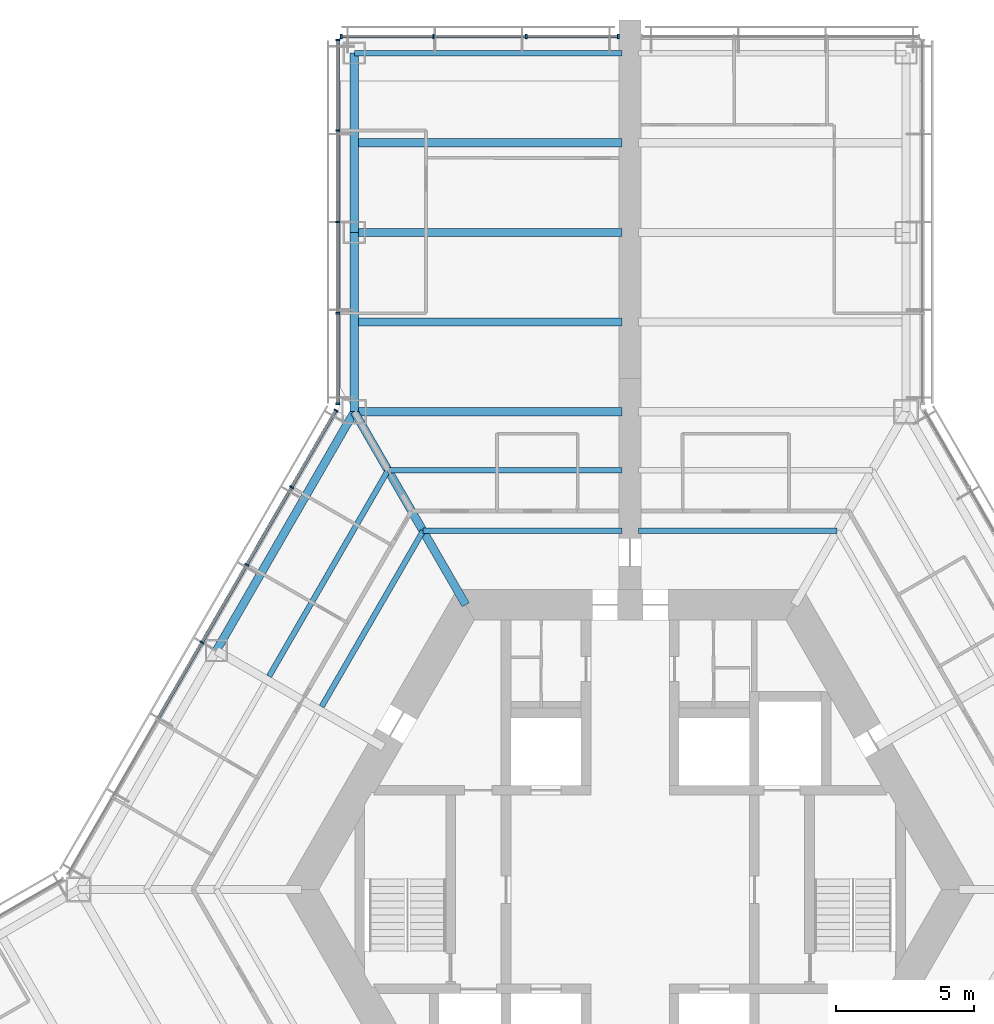
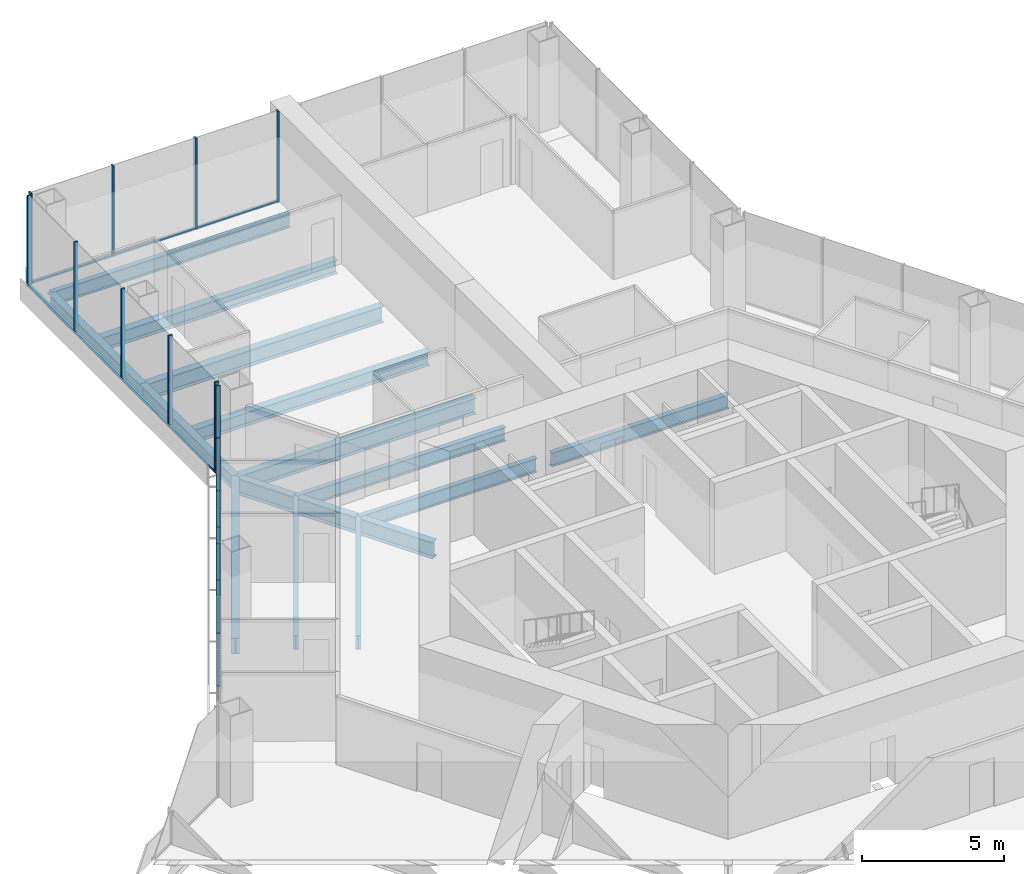
# One storey, part 7 of 19: 24 members, 14 beams, 3 elements without a shape of their own.
"""IFC4 building model written with IfcOpenShell, lengths in metres."""

from ifc_helpers import new_model, si_unit, direction, frame, origin, origin_2d, place, context, subcontext, project, spatial, rectangle, i_section, extrude, material, material_profile, profile_set, type_object, element, aggregate, save


model = new_model("IFC4")

# Units and contexts
model_context = context("Model", 3, precision=1e-05, world=origin(), true_north=direction((0.0, 1.0)))
body_context = subcontext(model_context, "Body", "Model", "MODEL_VIEW")
ifc_project = project(units=[si_unit("LENGTHUNIT", "METRE"), si_unit("AREAUNIT", "SQUARE_METRE"), si_unit("VOLUMEUNIT", "CUBIC_METRE"), si_unit("PLANEANGLEUNIT", "RADIAN"), si_unit("MASSUNIT", "GRAM", prefix="KILO")], contexts=[model_context])

# Site, building, storey
site_placement = place(None, origin())
site = spatial("IfcSite", under=ifc_project, at=site_placement, CompositionType="ELEMENT")
building_placement = place(site_placement, origin())
building = spatial("IfcBuilding", under=site, at=building_placement, Name="Kasaneha Research Tower", CompositionType="ELEMENT")
storey_placement = place(building_placement, frame((0.0, 0.0, 100.199951171875)))
storey = spatial("IfcBuildingStorey", under=building, at=storey_placement, Name="L25", CompositionType="ELEMENT", Elevation=100.199951171875)

# Beams
ifc_material_1 = material(Name="Steel SN490B", Category="steel")
ifc_material_profile_1 = material_profile(ifc_material_1, i_section(OverallWidth=0.199951171875, OverallDepth=0.60009765625, WebThickness=0.010986328125, FlangeThickness=0.01708984375, FilletRadius=0.012939453125, at=origin_2d()), Name="H-600x200x11x17")
ifc_profile_set_1 = profile_set([ifc_material_profile_1], Name="Steel SN490B")
beam_type_1 = type_object("IfcBeamType", Name="B1-3 secondary beam H-600x200x11x17", PredefinedType="JOIST", material=ifc_profile_set_1)
for number, where, z_axis, x_axis, name in (
    (1, (7.505615234375, 13.0, -0.449951171875), (-1.0, 0.0, 0.0), (0.0, -1.0, 0.0), "Secondary beam RS090L1 L25"),
    (2, (-7.505615234375, 13.0, -0.449951171875), (1.0, 0.0, 0.0), (0.0, 1.0, 0.0), "Secondary beam RS090R1 L25"),
):
    element("IfcBeam", number, at=place(storey_placement, frame(where, z_axis=z_axis, x_axis=x_axis)), inside=storey, type_object=beam_type_1, Name=name, PredefinedType="JOIST", context=body_context, shape_type="SweptSolid", body=[
        extrude(i_section(OverallWidth=0.199951171875, OverallDepth=0.60009765625, WebThickness=0.010986328125, FlangeThickness=0.01708984375, FilletRadius=0.012939453125, at=origin_2d()), origin(), (0.0, 0.0, 1.0), 7.20556640625),
    ])
beam_1_placement = place(storey_placement, frame((-8.775634765625, 15.199951171875, -0.449951171875), z_axis=(1.0, 0.0, 0.0), x_axis=(0.0, 1.0, 0.0)))
element("IfcBeam", 3, at=beam_1_placement, inside=storey, type_object=beam_type_1, Name="Secondary beam RS090R2 L25", PredefinedType="JOIST", context=body_context, shape_type="SweptSolid", body=[
    extrude(i_section(OverallWidth=0.199951171875, OverallDepth=0.60009765625, WebThickness=0.010986328125, FlangeThickness=0.01708984375, FilletRadius=0.012939453125, at=origin_2d()), origin(), (0.0, 0.0, 1.0), 8.4755859375),
])
beam_2_placement = place(storey_placement, frame((-7.505615234375, 13.0, -0.449951171875), z_axis=(-0.499994443168, -0.866028611999, 0.0), x_axis=(0.866028611999, -0.499994443168, 0.0)))
element("IfcBeam", 4, at=beam_2_placement, inside=storey, type_object=beam_type_1, Name="Secondary beam RS150L1 L25", PredefinedType="JOIST", context=body_context, shape_type="SweptSolid", body=[
    extrude(i_section(OverallWidth=0.199951171875, OverallDepth=0.60009765625, WebThickness=0.010986328125, FlangeThickness=0.01708984375, FilletRadius=0.012939453125, at=origin_2d()), origin(), (0.0, 0.0, 1.0), 7.35546875),
])
beam_3_placement = place(storey_placement, frame((-8.775634765625, 15.199951171875, -0.449951171875), z_axis=(-0.500017275495, -0.866015429543, 0.0), x_axis=(0.866015429543, -0.500017275495, 0.0)))
element("IfcBeam", 5, at=beam_3_placement, inside=storey, type_object=beam_type_1, Name="Secondary beam RS150L2 L25", PredefinedType="JOIST", context=body_context, shape_type="SweptSolid", body=[
    extrude(i_section(OverallWidth=0.199951171875, OverallDepth=0.60009765625, WebThickness=0.010986328125, FlangeThickness=0.01708984375, FilletRadius=0.012939453125, at=origin_2d()), origin(), (0.0, 0.0, 1.0), 8.625732421875),
])
ifc_material_2 = material(Name="Steel SN490B", Category="steel")
ifc_material_profile_2 = material_profile(ifc_material_2, i_section(OverallWidth=0.300048828125, OverallDepth=0.58203125, WebThickness=0.011962890625, FlangeThickness=0.01708984375, FilletRadius=0.012939453125, at=origin_2d()), Name="H-582x300x12x17")
ifc_profile_set_2 = profile_set([ifc_material_profile_2], Name="Steel SN490B")
beam_type_2 = type_object("IfcBeamType", Name="B2-3 secondary beam H-582x300x12x17", PredefinedType="JOIST", material=ifc_profile_set_2)
for number, where, z_axis, x_axis, name in (
    (6, (-10.0, 20.570556640625, -0.44091796875), (1.0, 0.0, 0.0), (0.0, 1.0, 0.0), "Secondary beam WBAN1 L25"),
    (7, (-10.0, 27.070556640625, -0.44091796875), (1.0, 0.0, 0.0), (0.0, 1.0, 0.0), "Secondary beam WBAN2 L25"),
):
    element("IfcBeam", number, at=place(storey_placement, frame(where, z_axis=z_axis, x_axis=x_axis)), inside=storey, type_object=beam_type_2, Name=name, PredefinedType="JOIST", context=body_context, shape_type="SweptSolid", body=[
        extrude(i_section(OverallWidth=0.300048828125, OverallDepth=0.58203125, WebThickness=0.011962890625, FlangeThickness=0.01708984375, FilletRadius=0.012939453125, at=origin_2d()), origin(), (0.0, 0.0, 1.0), 9.699951171875),
    ])

# Curtain wall, members
ifc_material_3 = material(Name="Glass and aluminium", Category="aluminium")
curtain_wall_type = type_object("IfcCurtainWallType", Name="Low-rise office curtain wall", PredefinedType="USERDEFINED", material=ifc_material_3)
curtain_wall_1_placement = place(storey_placement, origin())
curtain_wall_1 = element("IfcCurtainWall", 8, at=curtain_wall_1_placement, inside=storey, type_object=curtain_wall_type, Name="CW-O1 L25 run 10a", ObjectType="UNITISED CURTAIN WALL", PredefinedType="USERDEFINED")
ifc_material_4 = material(Name="Aluminium 6063-T6", Category="aluminium")
ifc_material_profile_3 = material_profile(ifc_material_4, rectangle(XDim=0.06005859375, YDim=0.159912109375, at=origin_2d()), Name="CW-O1 mullion 60x160")
ifc_profile_set_3 = profile_set([ifc_material_profile_3], Name="Aluminium 6063-T6")
member_type_1 = type_object("IfcMemberType", Name="CW-O1 mullion", PredefinedType="MULLION", material=ifc_profile_set_3)
member_1_placement = place(storey_placement, frame((-0.429931640625, 30.92041015625, 0.0), z_axis=(0.0, 0.0, 1.0), x_axis=(-1.0, 0.0, 0.0)))
member_1 = element("IfcMember", 9, at=member_1_placement, type_object=member_type_1, Name="CW-O1 mullion 1", PredefinedType="MULLION", context=body_context, shape_type="SweptSolid", body=[
    extrude(rectangle(XDim=0.06005859375, YDim=0.159912109375, at=origin_2d()), origin(), (0.0, 0.0, 1.0), 3.900146484375),
])
member_2_placement = place(storey_placement, frame((-3.7666015625, 30.92041015625, 0.0), z_axis=(0.0, 0.0, 1.0), x_axis=(-1.0, 0.0, 0.0)))
member_2 = element("IfcMember", 10, at=member_2_placement, type_object=member_type_1, Name="CW-O1 mullion 2", PredefinedType="MULLION", context=body_context, shape_type="SweptSolid", body=[
    extrude(rectangle(XDim=0.06005859375, YDim=0.159912109375, at=origin_2d()), origin(), (0.0, 0.0, 1.0), 3.900146484375),
])
member_3_placement = place(storey_placement, frame((-7.13330078125, 30.92041015625, 0.0), z_axis=(0.0, 0.0, 1.0), x_axis=(-1.0, 0.0, 0.0)))
member_3 = element("IfcMember", 11, at=member_3_placement, type_object=member_type_1, Name="CW-O1 mullion 3", PredefinedType="MULLION", context=body_context, shape_type="SweptSolid", body=[
    extrude(rectangle(XDim=0.06005859375, YDim=0.159912109375, at=origin_2d()), origin(), (0.0, 0.0, 1.0), 3.900146484375),
])
member_4_placement = place(storey_placement, frame((-10.469970703125, 30.92041015625, 0.0), z_axis=(0.0, 0.0, 1.0), x_axis=(-1.0, 0.0, 0.0)))
member_4 = element("IfcMember", 12, at=member_4_placement, type_object=member_type_1, Name="CW-O1 mullion 4", PredefinedType="MULLION", context=body_context, shape_type="SweptSolid", body=[
    extrude(rectangle(XDim=0.06005859375, YDim=0.159912109375, at=origin_2d()), origin(), (0.0, 0.0, 1.0), 3.900146484375),
])

curtain_wall_2_placement = place(storey_placement, origin())
curtain_wall_2 = element("IfcCurtainWall", 13, at=curtain_wall_2_placement, inside=storey, type_object=curtain_wall_type, Name="CW-O1 L25 run 11a", ObjectType="UNITISED CURTAIN WALL", PredefinedType="USERDEFINED")
member_5_placement = place(storey_placement, frame((-10.60009765625, 30.79052734375, 0.0), z_axis=(0.0, 0.0, 1.0), x_axis=(0.0, -1.0, 0.0)))
member_5 = element("IfcMember", 14, at=member_5_placement, type_object=member_type_1, Name="CW-O1 mullion 1", PredefinedType="MULLION", context=body_context, shape_type="SweptSolid", body=[
    extrude(rectangle(XDim=0.06005859375, YDim=0.159912109375, at=origin_2d()), origin(), (0.0, 0.0, 1.0), 3.900146484375),
])
member_6_placement = place(storey_placement, frame((-10.60009765625, 27.5107421875, 0.0), z_axis=(0.0, 0.0, 1.0), x_axis=(0.0, -1.0, 0.0)))
member_6 = element("IfcMember", 15, at=member_6_placement, type_object=member_type_1, Name="CW-O1 mullion 2", PredefinedType="MULLION", context=body_context, shape_type="SweptSolid", body=[
    extrude(rectangle(XDim=0.06005859375, YDim=0.159912109375, at=origin_2d()), origin(), (0.0, 0.0, 1.0), 3.900146484375),
])
member_7_placement = place(storey_placement, frame((-10.60009765625, 24.200927734375, 0.0), z_axis=(0.0, 0.0, 1.0), x_axis=(0.0, -1.0, 0.0)))
member_7 = element("IfcMember", 16, at=member_7_placement, type_object=member_type_1, Name="CW-O1 mullion 3", PredefinedType="MULLION", context=body_context, shape_type="SweptSolid", body=[
    extrude(rectangle(XDim=0.06005859375, YDim=0.159912109375, at=origin_2d()), origin(), (0.0, 0.0, 1.0), 3.900146484375),
])
member_8_placement = place(storey_placement, frame((-10.60009765625, 20.89111328125, 0.0), z_axis=(0.0, 0.0, 1.0), x_axis=(0.0, -1.0, 0.0)))
member_8 = element("IfcMember", 17, at=member_8_placement, type_object=member_type_1, Name="CW-O1 mullion 4", PredefinedType="MULLION", context=body_context, shape_type="SweptSolid", body=[
    extrude(rectangle(XDim=0.06005859375, YDim=0.159912109375, at=origin_2d()), origin(), (0.0, 0.0, 1.0), 3.900146484375),
])
member_9_placement = place(storey_placement, frame((-10.60009765625, 17.611328125, 0.0), z_axis=(0.0, 0.0, 1.0), x_axis=(0.0, -1.0, 0.0)))
member_9 = element("IfcMember", 18, at=member_9_placement, type_object=member_type_1, Name="CW-O1 mullion 5", PredefinedType="MULLION", context=body_context, shape_type="SweptSolid", body=[
    extrude(rectangle(XDim=0.06005859375, YDim=0.159912109375, at=origin_2d()), origin(), (0.0, 0.0, 1.0), 3.900146484375),
])

curtain_wall_3_placement = place(storey_placement, origin())
curtain_wall_3 = element("IfcCurtainWall", 19, at=curtain_wall_3_placement, inside=storey, type_object=curtain_wall_type, Name="CW-O1 L25 run 12a", ObjectType="UNITISED CURTAIN WALL", PredefinedType="USERDEFINED")
member_10_placement = place(storey_placement, frame((-10.6650390625, 17.36865234375, 0.0), z_axis=(0.0, 0.0, 1.0), x_axis=(-0.49999996188, -0.866025425793, 0.0)))
member_10 = element("IfcMember", 20, at=member_10_placement, type_object=member_type_1, Name="CW-O1 mullion 1", PredefinedType="MULLION", context=body_context, shape_type="SweptSolid", body=[
    extrude(rectangle(XDim=0.06005859375, YDim=0.159912109375, at=origin_2d()), origin(), (0.0, 0.0, 1.0), 3.900146484375),
])
member_11_placement = place(storey_placement, frame((-12.273193359375, 14.583251953125, 0.0), z_axis=(0.0, 0.0, 1.0), x_axis=(-0.49999996188, -0.866025425793, 0.0)))
member_11 = element("IfcMember", 21, at=member_11_placement, type_object=member_type_1, Name="CW-O1 mullion 2", PredefinedType="MULLION", context=body_context, shape_type="SweptSolid", body=[
    extrude(rectangle(XDim=0.06005859375, YDim=0.159912109375, at=origin_2d()), origin(), (0.0, 0.0, 1.0), 3.900146484375),
])
member_12_placement = place(storey_placement, frame((-13.896484375, 11.771728515625, 0.0), z_axis=(0.0, 0.0, 1.0), x_axis=(-0.49999996188, -0.866025425793, 0.0)))
member_12 = element("IfcMember", 22, at=member_12_placement, type_object=member_type_1, Name="CW-O1 mullion 3", PredefinedType="MULLION", context=body_context, shape_type="SweptSolid", body=[
    extrude(rectangle(XDim=0.06005859375, YDim=0.159912109375, at=origin_2d()), origin(), (0.0, 0.0, 1.0), 3.900146484375),
])
member_13_placement = place(storey_placement, frame((-15.51953125, 8.960205078125, 0.0), z_axis=(0.0, 0.0, 1.0), x_axis=(-0.49999996188, -0.866025425793, 0.0)))
member_13 = element("IfcMember", 23, at=member_13_placement, type_object=member_type_1, Name="CW-O1 mullion 4", PredefinedType="MULLION", context=body_context, shape_type="SweptSolid", body=[
    extrude(rectangle(XDim=0.06005859375, YDim=0.159912109375, at=origin_2d()), origin(), (0.0, 0.0, 1.0), 3.900146484375),
])

# Member
ifc_material_5 = material(Name="Aluminium 6063-T6", Category="aluminium")
ifc_material_profile_4 = material_profile(ifc_material_5, rectangle(XDim=0.1201171875, YDim=0.06005859375, at=origin_2d()), Name="CW-O1 transom 120x60")
ifc_profile_set_4 = profile_set([ifc_material_profile_4], Name="Aluminium 6063-T6")
member_type_2 = type_object("IfcMemberType", Name="CW-O1 transom", PredefinedType="USERDEFINED", material=ifc_profile_set_4)
member_14_placement = place(storey_placement, frame((-0.4599609375, 30.92041015625, 0.030029296875), z_axis=(-1.0, 0.0, 0.0), x_axis=(0.0, -1.0, 0.0)))
member_14 = element("IfcMember", 24, at=member_14_placement, type_object=member_type_2, Name="CW-O1 transom 1", ObjectType="TRANSOM", PredefinedType="USERDEFINED", context=body_context, shape_type="SweptSolid", body=[
    extrude(rectangle(XDim=0.1201171875, YDim=0.06005859375, at=origin_2d()), origin(), (0.0, 0.0, 1.0), 3.276611328125),
])

member_15_placement = place(storey_placement, frame((-3.796630859375, 30.92041015625, 0.030029296875), z_axis=(-1.0, 0.0, 0.0), x_axis=(0.0, -1.0, 0.0)))
member_15 = element("IfcMember", 25, at=member_15_placement, type_object=member_type_2, Name="CW-O1 transom 2", ObjectType="TRANSOM", PredefinedType="USERDEFINED", context=body_context, shape_type="SweptSolid", body=[
    extrude(rectangle(XDim=0.1201171875, YDim=0.06005859375, at=origin_2d()), origin(), (0.0, 0.0, 1.0), 3.306640625),
])

member_16_placement = place(storey_placement, frame((-7.163330078125, 30.92041015625, 0.030029296875), z_axis=(-1.0, 0.0, 0.0), x_axis=(0.0, -1.0, 0.0)))
member_16 = element("IfcMember", 26, at=member_16_placement, type_object=member_type_2, Name="CW-O1 transom 3", ObjectType="TRANSOM", PredefinedType="USERDEFINED", context=body_context, shape_type="SweptSolid", body=[
    extrude(rectangle(XDim=0.1201171875, YDim=0.06005859375, at=origin_2d()), origin(), (0.0, 0.0, 1.0), 3.276611328125),
])

aggregate(curtain_wall_1, [member_1, member_2, member_3, member_4, member_14, member_15, member_16])

member_17_placement = place(storey_placement, frame((-10.60009765625, 30.760498046875, 0.030029296875), z_axis=(0.0, -1.0, 0.0), x_axis=(1.0, 0.0, 0.0)))
member_17 = element("IfcMember", 27, at=member_17_placement, type_object=member_type_2, Name="CW-O1 transom 1", ObjectType="TRANSOM", PredefinedType="USERDEFINED", context=body_context, shape_type="SweptSolid", body=[
    extrude(rectangle(XDim=0.1201171875, YDim=0.06005859375, at=origin_2d()), origin(), (0.0, 0.0, 1.0), 3.2197265625),
])

member_18_placement = place(storey_placement, frame((-10.60009765625, 27.480712890625, 0.030029296875), z_axis=(0.0, -1.0, 0.0), x_axis=(1.0, 0.0, 0.0)))
member_18 = element("IfcMember", 28, at=member_18_placement, type_object=member_type_2, Name="CW-O1 transom 2", ObjectType="TRANSOM", PredefinedType="USERDEFINED", context=body_context, shape_type="SweptSolid", body=[
    extrude(rectangle(XDim=0.1201171875, YDim=0.06005859375, at=origin_2d()), origin(), (0.0, 0.0, 1.0), 3.249755859375),
])

member_19_placement = place(storey_placement, frame((-10.60009765625, 24.1708984375, 0.030029296875), z_axis=(0.0, -1.0, 0.0), x_axis=(1.0, 0.0, 0.0)))
member_19 = element("IfcMember", 29, at=member_19_placement, type_object=member_type_2, Name="CW-O1 transom 3", ObjectType="TRANSOM", PredefinedType="USERDEFINED", context=body_context, shape_type="SweptSolid", body=[
    extrude(rectangle(XDim=0.1201171875, YDim=0.06005859375, at=origin_2d()), origin(), (0.0, 0.0, 1.0), 3.249755859375),
])

member_20_placement = place(storey_placement, frame((-10.60009765625, 20.861083984375, 0.030029296875), z_axis=(0.0, -1.0, 0.0), x_axis=(1.0, 0.0, 0.0)))
member_20 = element("IfcMember", 30, at=member_20_placement, type_object=member_type_2, Name="CW-O1 transom 4", ObjectType="TRANSOM", PredefinedType="USERDEFINED", context=body_context, shape_type="SweptSolid", body=[
    extrude(rectangle(XDim=0.1201171875, YDim=0.06005859375, at=origin_2d()), origin(), (0.0, 0.0, 1.0), 3.2197265625),
])

aggregate(curtain_wall_2, [member_5, member_6, member_7, member_8, member_9, member_17, member_18, member_19, member_20])

member_21_placement = place(storey_placement, frame((-10.679931640625, 17.3427734375, 0.030029296875), z_axis=(-0.500023726918, -0.866011704609, 0.0), x_axis=(0.866011704609, -0.500023726918, 0.0)))
member_21 = element("IfcMember", 31, at=member_21_placement, type_object=member_type_2, Name="CW-O1 transom 1", ObjectType="TRANSOM", PredefinedType="USERDEFINED", context=body_context, shape_type="SweptSolid", body=[
    extrude(rectangle(XDim=0.1201171875, YDim=0.06005859375, at=origin_2d()), origin(), (0.0, 0.0, 1.0), 3.156494140625),
])

member_22_placement = place(storey_placement, frame((-12.2880859375, 14.55712890625, 0.030029296875), z_axis=(-0.500012062035, -0.866018439653, 0.0), x_axis=(0.866018439653, -0.500012062035, 0.0)))
member_22 = element("IfcMember", 32, at=member_22_placement, type_object=member_type_2, Name="CW-O1 transom 2", ObjectType="TRANSOM", PredefinedType="USERDEFINED", context=body_context, shape_type="SweptSolid", body=[
    extrude(rectangle(XDim=0.1201171875, YDim=0.06005859375, at=origin_2d()), origin(), (0.0, 0.0, 1.0), 3.1865234375),
])

member_23_placement = place(storey_placement, frame((-13.911376953125, 11.745849609375, 0.030029296875), z_axis=(-0.500012062035, -0.866018439653, 0.0), x_axis=(0.866018439653, -0.500012062035, 0.0)))
member_23 = element("IfcMember", 33, at=member_23_placement, type_object=member_type_2, Name="CW-O1 transom 3", ObjectType="TRANSOM", PredefinedType="USERDEFINED", context=body_context, shape_type="SweptSolid", body=[
    extrude(rectangle(XDim=0.1201171875, YDim=0.06005859375, at=origin_2d()), origin(), (0.0, 0.0, 1.0), 3.1865234375),
])

member_24_placement = place(storey_placement, frame((-15.53466796875, 8.934326171875, 0.030029296875), z_axis=(-0.500012062035, -0.866018439653, 0.0), x_axis=(0.866018439653, -0.500012062035, 0.0)))
member_24 = element("IfcMember", 34, at=member_24_placement, type_object=member_type_2, Name="CW-O1 transom 4", ObjectType="TRANSOM", PredefinedType="USERDEFINED", context=body_context, shape_type="SweptSolid", body=[
    extrude(rectangle(XDim=0.1201171875, YDim=0.06005859375, at=origin_2d()), origin(), (0.0, 0.0, 1.0), 3.1865234375),
])

aggregate(curtain_wall_3, [member_10, member_11, member_12, member_13, member_21, member_22, member_23, member_24])

# Beams
ifc_material_6 = material(Name="Steel SN490B", Category="steel")
ifc_material_profile_5 = material_profile(ifc_material_6, i_section(OverallWidth=0.300048828125, OverallDepth=0.699951171875, WebThickness=0.012939453125, FlangeThickness=0.02392578125, FilletRadius=0.01806640625, at=origin_2d()), Name="H-700x300x13x24")
ifc_profile_set_5 = profile_set([ifc_material_profile_5], Name="Steel SN490B")
beam_type_3 = type_object("IfcBeamType", Name="G1-3 radial girder H-700x300x13x24", PredefinedType="BEAM", material=ifc_profile_set_5)
beam_4_placement = place(storey_placement, frame((-5.961181640625, 10.324951171875, -0.5), z_axis=(-0.49999105496, 0.866030568144, 0.0), x_axis=(-0.866030568144, -0.49999105496, 0.0)))
element("IfcBeam", 35, at=beam_4_placement, inside=storey, type_object=beam_type_3, Name="Radial girder RV120 L25", PredefinedType="BEAM", context=body_context, shape_type="SweptSolid", body=[
    extrude(i_section(OverallWidth=0.300048828125, OverallDepth=0.699951171875, WebThickness=0.012939453125, FlangeThickness=0.02392578125, FilletRadius=0.01806640625, at=origin_2d()), origin(), (0.0, 0.0, 1.0), 8.077880859375),
])
ifc_material_7 = material(Name="Steel SN490B", Category="steel")
ifc_material_profile_6 = material_profile(ifc_material_7, i_section(OverallWidth=0.300048828125, OverallDepth=0.69189453125, WebThickness=0.012939453125, FlangeThickness=0.02001953125, FilletRadius=0.01806640625, at=origin_2d()), Name="H-692x300x13x20")
ifc_profile_set_6 = profile_set([ifc_material_profile_6], Name="Steel SN490B")
beam_type_4 = type_object("IfcBeamType", Name="G3-3 plate edge girder H-692x300x13x20", PredefinedType="BEAM", material=ifc_profile_set_6)
beam_5_placement = place(storey_placement, frame((-10.0, 17.320556640625, -0.495849609375), z_axis=(1.0, 0.0, 0.0), x_axis=(0.0, 1.0, 0.0)))
element("IfcBeam", 36, at=beam_5_placement, inside=storey, type_object=beam_type_4, Name="Plate edge girder PEAN L25", PredefinedType="BEAM", context=body_context, shape_type="SweptSolid", body=[
    extrude(i_section(OverallWidth=0.300048828125, OverallDepth=0.69189453125, WebThickness=0.012939453125, FlangeThickness=0.02001953125, FilletRadius=0.01806640625, at=origin_2d()), origin(), (0.0, 0.0, 1.0), 9.699951171875),
])
ifc_material_8 = material(Name="Steel SN490B", Category="steel")
ifc_material_profile_7 = material_profile(ifc_material_8, i_section(OverallWidth=0.300048828125, OverallDepth=0.699951171875, WebThickness=0.012939453125, FlangeThickness=0.02392578125, FilletRadius=0.01806640625, at=origin_2d()), Name="H-700x300x13x24")
ifc_profile_set_7 = profile_set([ifc_material_profile_7], Name="Steel SN490B")
beam_type_5 = type_object("IfcBeamType", Name="G4-3 wing girder H-700x300x13x24", PredefinedType="BEAM", material=ifc_profile_set_7)
beam_6_placement = place(storey_placement, frame((-10.0, 23.820556640625, -0.5), z_axis=(1.0, 0.0, 0.0), x_axis=(0.0, 1.0, 0.0)))
element("IfcBeam", 37, at=beam_6_placement, inside=storey, type_object=beam_type_5, Name="Wing girder WGAN L25", PredefinedType="BEAM", context=body_context, shape_type="SweptSolid", body=[
    extrude(i_section(OverallWidth=0.300048828125, OverallDepth=0.699951171875, WebThickness=0.012939453125, FlangeThickness=0.02392578125, FilletRadius=0.01806640625, at=origin_2d()), origin(), (0.0, 0.0, 1.0), 9.699951171875),
])
ifc_material_9 = material(Name="Steel SN490B", Category="steel")
ifc_material_profile_8 = material_profile(ifc_material_9, i_section(OverallWidth=0.300048828125, OverallDepth=0.69189453125, WebThickness=0.012939453125, FlangeThickness=0.02001953125, FilletRadius=0.01806640625, at=origin_2d()), Name="H-692x300x13x20")
ifc_profile_set_8 = profile_set([ifc_material_profile_8], Name="Steel SN490B")
beam_type_6 = type_object("IfcBeamType", Name="SB1-3 spandrel beam H-692x300x13x20", PredefinedType="SPANDREL", material=ifc_profile_set_8)
beam_7_placement = place(storey_placement, frame((-10.0, 17.320556640625, -0.495849609375), z_axis=(-0.499993662806, -0.866029062534, 0.0), x_axis=(0.866029062534, -0.499993662806, 0.0)))
element("IfcBeam", 38, at=beam_7_placement, inside=storey, type_object=beam_type_6, Name="Spandrel beam SR150L L25", PredefinedType="SPANDREL", context=body_context, shape_type="SweptSolid", body=[
    extrude(i_section(OverallWidth=0.300048828125, OverallDepth=0.69189453125, WebThickness=0.012939453125, FlangeThickness=0.02001953125, FilletRadius=0.01806640625, at=origin_2d()), origin(), (0.0, 0.0, 1.0), 10.000244140625),
])
ifc_material_10 = material(Name="Steel SN490B", Category="steel")
ifc_material_profile_9 = material_profile(ifc_material_10, i_section(OverallWidth=0.300048828125, OverallDepth=0.58203125, WebThickness=0.011962890625, FlangeThickness=0.01708984375, FilletRadius=0.012939453125, at=origin_2d()), Name="H-582x300x12x17")
ifc_profile_set_9 = profile_set([ifc_material_profile_9], Name="Steel SN490B")
beam_type_7 = type_object("IfcBeamType", Name="SB2-3 spandrel beam H-582x300x12x17", PredefinedType="SPANDREL", material=ifc_profile_set_9)
for number, where, z_axis, x_axis, name in (
    (39, (-10.0, 17.320556640625, -0.44091796875), (0.0, 1.0, 0.0), (-1.0, 0.0, 0.0), "Spandrel beam WSAN1 L25"),
    (40, (-10.0, 23.820556640625, -0.44091796875), (0.0, 1.0, 0.0), (-1.0, 0.0, 0.0), "Spandrel beam WSAN2 L25"),
):
    element("IfcBeam", number, at=place(storey_placement, frame(where, z_axis=z_axis, x_axis=x_axis)), inside=storey, type_object=beam_type_7, Name=name, PredefinedType="SPANDREL", context=body_context, shape_type="SweptSolid", body=[
        extrude(i_section(OverallWidth=0.300048828125, OverallDepth=0.58203125, WebThickness=0.011962890625, FlangeThickness=0.01708984375, FilletRadius=0.012939453125, at=origin_2d()), origin(), (0.0, 0.0, 1.0), 6.5),
    ])
ifc_material_11 = material(Name="Steel SN490B", Category="steel")
ifc_material_profile_10 = material_profile(ifc_material_11, i_section(OverallWidth=0.199951171875, OverallDepth=0.60009765625, WebThickness=0.010986328125, FlangeThickness=0.01708984375, FilletRadius=0.012939453125, at=origin_2d()), Name="H-600x200x11x17")
ifc_profile_set_10 = profile_set([ifc_material_profile_10], Name="Steel SN490B")
beam_type_8 = type_object("IfcBeamType", Name="SB3-3 spandrel beam H-600x200x11x17", PredefinedType="SPANDREL", material=ifc_profile_set_10)
beam_8_placement = place(storey_placement, frame((-10.0, 30.320556640625, -0.449951171875), z_axis=(1.0, 0.0, 0.0), x_axis=(0.0, 1.0, 0.0)))
element("IfcBeam", 41, at=beam_8_placement, inside=storey, type_object=beam_type_8, Name="Spandrel beam WTAN L25", PredefinedType="SPANDREL", context=body_context, shape_type="SweptSolid", body=[
    extrude(i_section(OverallWidth=0.199951171875, OverallDepth=0.60009765625, WebThickness=0.010986328125, FlangeThickness=0.01708984375, FilletRadius=0.012939453125, at=origin_2d()), origin(), (0.0, 0.0, 1.0), 9.699951171875),
])

save(model, "model.ifc")
